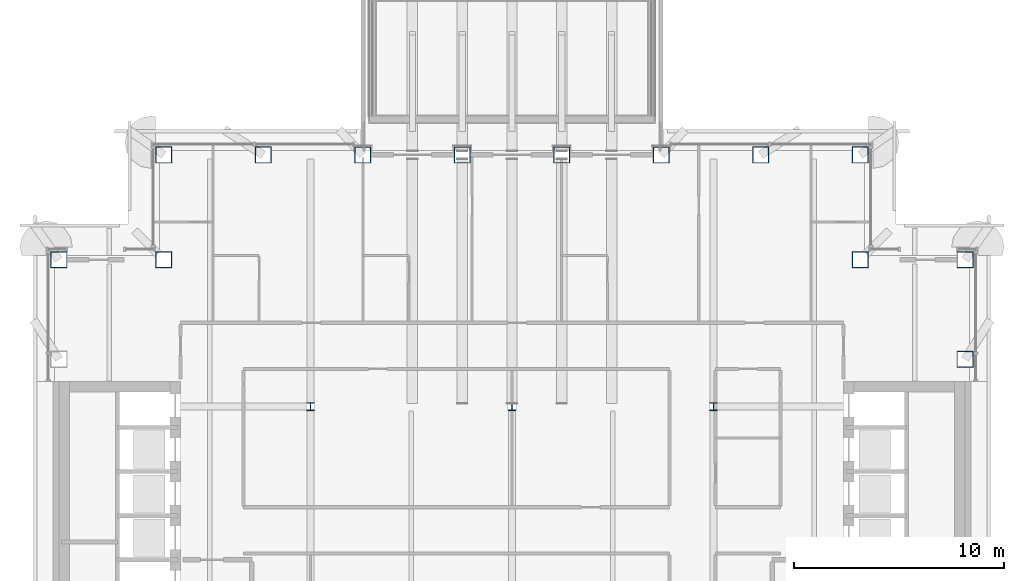
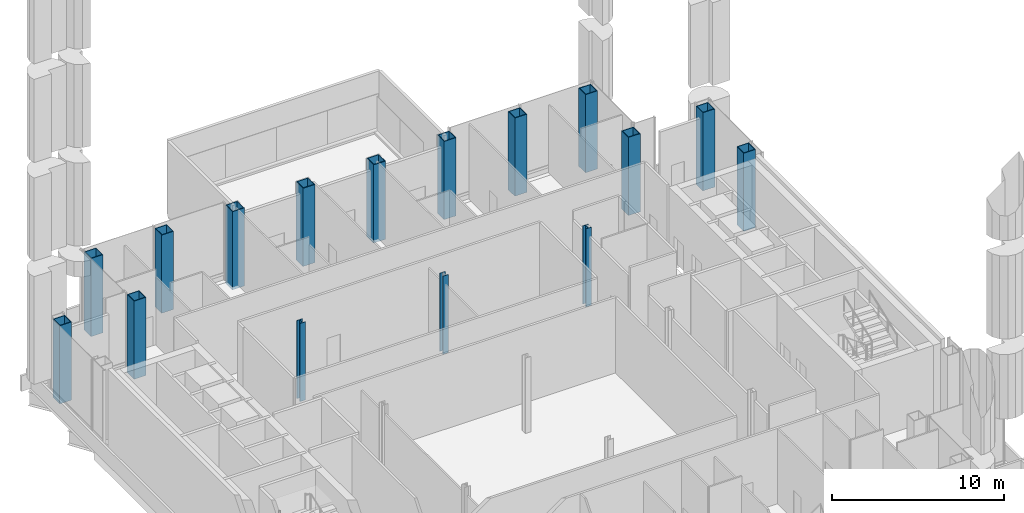
# One storey, part 2 of 22: 16 columns.
"""IFC4 building model written with IfcOpenShell, lengths in metres."""

from ifc_helpers import new_model, si_unit, direction, frame, origin, origin_2d, place, context, subcontext, project, spatial, hollow_rectangle, i_section, extrude, material, material_profile, profile_set, type_object, element, save


model = new_model("IFC4")

# Units and contexts
model_context = context("Model", 3, precision=1e-05, world=origin(), true_north=direction((0.0, 1.0)))
body_context = subcontext(model_context, "Body", "Model", "MODEL_VIEW")
ifc_project = project(units=[si_unit("LENGTHUNIT", "METRE"), si_unit("AREAUNIT", "SQUARE_METRE"), si_unit("VOLUMEUNIT", "CUBIC_METRE"), si_unit("PLANEANGLEUNIT", "RADIAN"), si_unit("MASSUNIT", "GRAM", prefix="KILO")], contexts=[model_context])

# Site, building, storey
site_placement = place(None, origin())
site = spatial("IfcSite", under=ifc_project, at=site_placement, CompositionType="ELEMENT")
building_placement = place(site_placement, origin())
building = spatial("IfcBuilding", under=site, at=building_placement, Name="Cobrizo Arcos Hotel Tower", CompositionType="ELEMENT")
storey_placement = place(building_placement, frame((0.0, 0.0, 142.5)))
storey = spatial("IfcBuildingStorey", under=building, at=storey_placement, Name="L36", CompositionType="ELEMENT", Elevation=142.5)

# Columns
ifc_material_1 = material(Name="Steel ASTM A572 Grade 50", Category="steel")
ifc_material_profile_1 = material_profile(ifc_material_1, hollow_rectangle(XDim=0.800048828125, YDim=0.800048828125, WallThickness=0.044921875, at=origin_2d()), Name="BOX 800X800X45")
ifc_profile_set_1 = profile_set([ifc_material_profile_1], Name="Steel ASTM A572 Grade 50")
column_type_1 = type_object("IfcColumnType", Name="BOX 800X800X45 column", PredefinedType="COLUMN", material=ifc_profile_set_1)
for number, where, z_axis, x_axis, name in (
    (1, (-16.60009765625, 21.60009765625, -0.199951171875), (0.0, 0.0, 1.0), (1.0, 0.0, 0.0), "Perimeter column C8, L36, no. 00"),
    (2, (-11.85693359375, 21.60009765625, -0.199951171875), (0.0, 0.0, 1.0), (1.0, 0.0, 0.0), "Perimeter column C8, L36, no. 02"),
    (3, (-7.114013671875, 21.60009765625, -0.199951171875), (0.0, 0.0, 1.0), (1.0, 0.0, 0.0), "Perimeter column C8, L36, no. 04"),
    (4, (-2.37109375, 21.60009765625, -0.199951171875), (0.0, 0.0, 1.0), (1.0, 0.0, 0.0), "Perimeter column C8, L36, no. 06"),
    (5, (2.37109375, 21.60009765625, -0.199951171875), (0.0, 0.0, 1.0), (1.0, 0.0, 0.0), "Perimeter column C8, L36, no. 08"),
    (6, (7.114013671875, 21.60009765625, -0.199951171875), (0.0, 0.0, 1.0), (1.0, 0.0, 0.0), "Perimeter column C8, L36, no. 10"),
    (7, (11.85693359375, 21.60009765625, -0.199951171875), (0.0, 0.0, 1.0), (1.0, 0.0, 0.0), "Perimeter column C8, L36, no. 12"),
    (8, (16.60009765625, 21.60009765625, -0.199951171875), (0.0, 0.0, 1.0), (1.0, 0.0, 0.0), "Perimeter column C8, L36, no. 14"),
    (9, (21.60009765625, 11.85693359375, -0.199951171875), (0.0, 0.0, 1.0), (1.0, 0.0, 0.0), "Perimeter column C8, L36, no. 20"),
    (10, (21.60009765625, 16.60009765625, -0.199951171875), (0.0, 0.0, 1.0), (1.0, 0.0, 0.0), "Perimeter column C8, L36, no. 22"),
    (11, (-21.60009765625, 16.60009765625, -0.199951171875), (0.0, 0.0, 1.0), (1.0, 0.0, 0.0), "Perimeter column C8, L36, no. 23"),
    (12, (-16.60009765625, 16.60009765625, -0.199951171875), (0.0, 0.0, 1.0), (1.0, 0.0, 0.0), "Perimeter column C8, L36, no. 25"),
    (13, (16.60009765625, 16.60009765625, -0.199951171875), (0.0, 0.0, 1.0), (1.0, 0.0, 0.0), "Perimeter column C8, L36, no. 27"),
):
    element("IfcColumn", number, at=place(storey_placement, frame(where, z_axis=z_axis, x_axis=x_axis)), inside=storey, type_object=column_type_1, Name=name, PredefinedType="COLUMN", context=body_context, shape_type="SweptSolid", body=[
        extrude(hollow_rectangle(XDim=0.800048828125, YDim=0.800048828125, WallThickness=0.044921875, at=origin_2d()), origin(), (0.0, 0.0, 1.0), 5.550048828125),
    ])
ifc_material_2 = material(Name="Steel ASTM A992 Grade 50", Category="steel")
ifc_material_profile_2 = material_profile(ifc_material_2, i_section(OverallWidth=0.373291015625, OverallDepth=0.373291015625, WebThickness=0.016357421875, FlangeThickness=0.026123046875, at=origin_2d()), Name="W14X132")
ifc_profile_set_2 = profile_set([ifc_material_profile_2], Name="Steel ASTM A992 Grade 50")
column_type_2 = type_object("IfcColumnType", Name="W14X132 interior column", PredefinedType="COLUMN", material=ifc_profile_set_2)
for number, where, z_axis, x_axis, name in (
    (14, (-9.60009765625, 9.60009765625, -0.199951171875), (0.0, 0.0, 1.0), (1.0, 0.0, 0.0), "Interior column C9, L36, no. 02"),
    (15, (0.0, 9.60009765625, -0.199951171875), (0.0, 0.0, 1.0), (1.0, 0.0, 0.0), "Interior column C9, L36, no. 05"),
    (16, (9.60009765625, 9.60009765625, -0.199951171875), (0.0, 0.0, 1.0), (1.0, 0.0, 0.0), "Interior column C9, L36, no. 08"),
):
    element("IfcColumn", number, at=place(storey_placement, frame(where, z_axis=z_axis, x_axis=x_axis)), inside=storey, type_object=column_type_2, Name=name, PredefinedType="COLUMN", context=body_context, shape_type="SweptSolid", body=[
        extrude(i_section(OverallWidth=0.373291015625, OverallDepth=0.373291015625, WebThickness=0.016357421875, FlangeThickness=0.026123046875, at=origin_2d()), origin(), (0.0, 0.0, 1.0), 5.550048828125),
    ])

save(model, "model.ifc")
